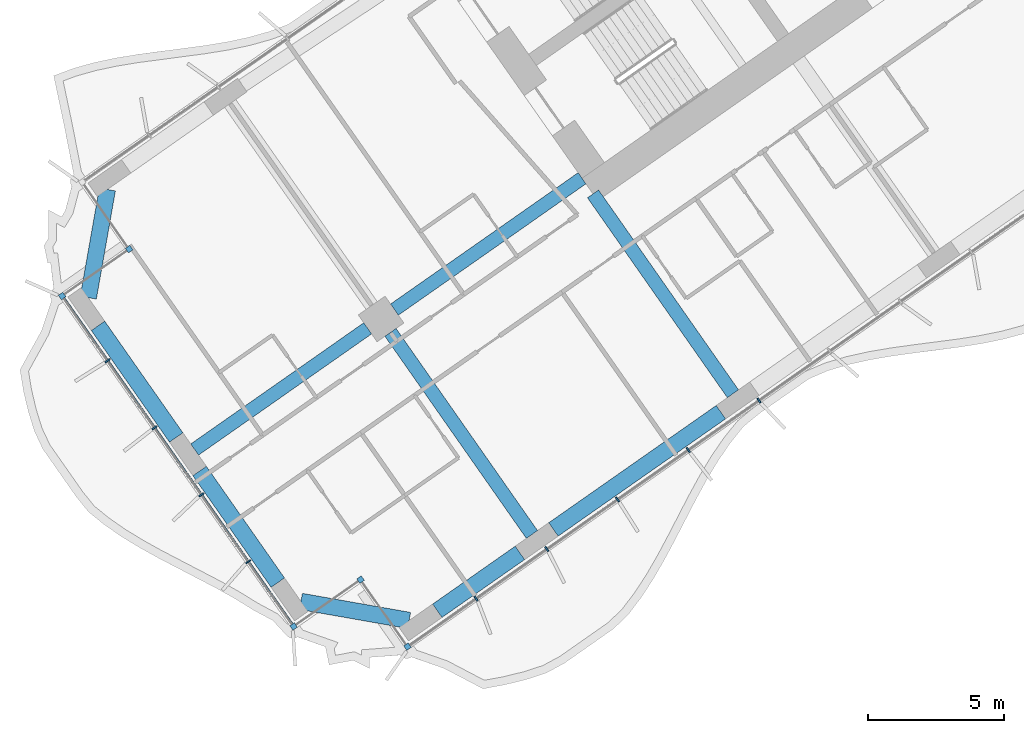
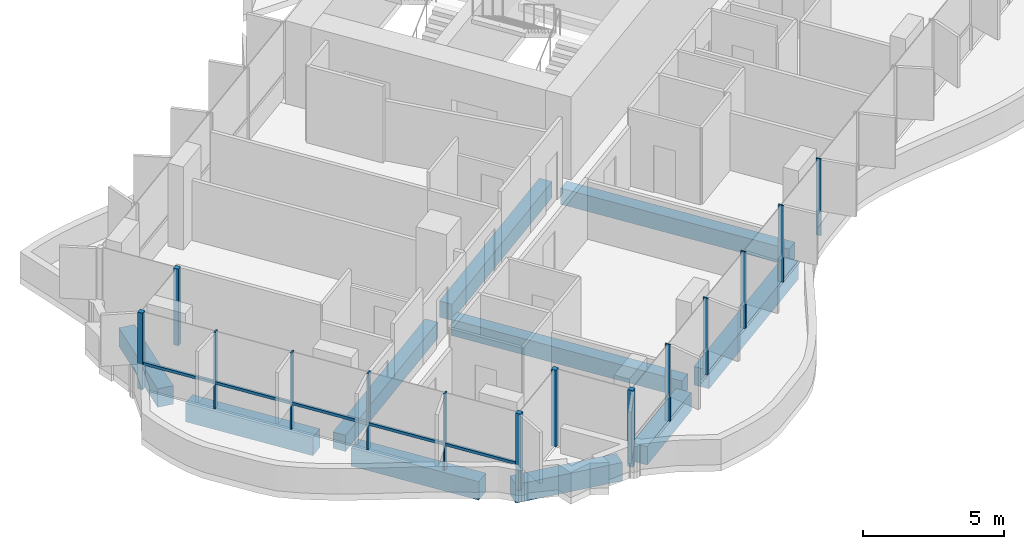
# One storey, part 2 of 23: 15 members, 10 beams, 1 element without a shape of its own.
"""IFC4 building model written with IfcOpenShell, lengths in metres."""

from ifc_helpers import new_model, si_unit, direction, frame, origin, origin_2d, place, context, subcontext, project, spatial, rectangle, extrude, material, material_profile, profile_set, type_object, element, aggregate, save


model = new_model("IFC4")

# Units and contexts
model_context = context("Model", 3, precision=1e-05, world=origin(), true_north=direction((0.0, 1.0)))
body_context = subcontext(model_context, "Body", "Model", "MODEL_VIEW")
ifc_project = project(units=[si_unit("LENGTHUNIT", "METRE"), si_unit("AREAUNIT", "SQUARE_METRE"), si_unit("VOLUMEUNIT", "CUBIC_METRE"), si_unit("PLANEANGLEUNIT", "RADIAN"), si_unit("MASSUNIT", "GRAM", prefix="KILO")], contexts=[model_context])

# Site, building, storey
site_placement = place(None, origin())
site = spatial("IfcSite", under=ifc_project, at=site_placement, CompositionType="ELEMENT")
building_placement = place(site_placement, origin())
building = spatial("IfcBuilding", under=site, at=building_placement, Name="Tel Ilan Convention Tower", CompositionType="ELEMENT")
storey_placement = place(building_placement, frame((0.0, 0.0, 108.5)))
storey = spatial("IfcBuildingStorey", under=building, at=storey_placement, Name="L23", CompositionType="ELEMENT", Elevation=108.5)

# Beams
ifc_material_1 = material(Name="Concrete C40/50", Category="concrete")
ifc_material_profile_1 = material_profile(ifc_material_1, rectangle(XDim=0.5, YDim=0.699951171875, at=origin_2d()), Name="RC 500x700")
ifc_profile_set_1 = profile_set([ifc_material_profile_1], Name="Concrete C40/50")
beam_type_1 = type_object("IfcBeamType", Name="Beam RC 500x700 Concrete C40/50", PredefinedType="BEAM", material=ifc_profile_set_1)
beam_1_placement = place(storey_placement, frame((-16.58203125, -23.391357421875, -0.6298828125), z_axis=(-0.573584999642, 0.819146048141, 0.0), x_axis=(-0.819146048141, -0.573584999642, 0.0)))
element("IfcBeam", 1, at=beam_1_placement, inside=storey, type_object=beam_type_1, Name="L23 beam W-W-F3-core", PredefinedType="BEAM", context=body_context, shape_type="SweptSolid", body=[
    extrude(rectangle(XDim=0.5, YDim=0.699951171875, at=origin_2d()), origin(), (0.0, 0.0, 1.0), 8.949951171875),
])
beam_2_placement = place(storey_placement, frame((-22.1171875, -15.486572265625, -0.6298828125), z_axis=(-0.819147254605, -0.573583276668, 0.0), x_axis=(0.573583276668, -0.819147254605, 0.0)))
element("IfcBeam", 2, at=beam_2_placement, inside=storey, type_object=beam_type_1, Name="L23 beam W-core-W-M4", PredefinedType="BEAM", context=body_context, shape_type="SweptSolid", body=[
    extrude(rectangle(XDim=0.5, YDim=0.699951171875, at=origin_2d()), origin(), (0.0, 0.0, 1.0), 8.400146484375),
])
beam_3_placement = place(storey_placement, frame((-29.98095703125, -20.992919921875, -0.6298828125), z_axis=(-0.819159394801, -0.573565938589, 0.0), x_axis=(0.573565938589, -0.819159394801, 0.0)))
element("IfcBeam", 3, at=beam_3_placement, inside=storey, type_object=beam_type_1, Name="L23 beam W-W-M4-end", PredefinedType="BEAM", context=body_context, shape_type="SweptSolid", body=[
    extrude(rectangle(XDim=0.5, YDim=0.699951171875, at=origin_2d()), origin(), (0.0, 0.0, 1.0), 7.75),
])
beam_4_placement = place(storey_placement, frame((-29.145263671875, -21.14013671875, -0.6298828125), z_axis=(0.573549245583, -0.819171082798, 0.0), x_axis=(0.819171082798, 0.573549245583, 0.0)))
element("IfcBeam", 4, at=beam_4_placement, inside=storey, type_object=beam_type_1, Name="L23 beam W-W-M4-W-F4", PredefinedType="BEAM", context=body_context, shape_type="SweptSolid", body=[
    extrude(rectangle(XDim=0.5, YDim=0.699951171875, at=origin_2d()), origin(), (0.0, 0.0, 1.0), 9.050048828125),
])
ifc_material_2 = material(Name="Concrete C40/50", Category="concrete")
ifc_material_profile_2 = material_profile(ifc_material_2, rectangle(XDim=0.60009765625, YDim=0.800048828125, at=origin_2d()), Name="RC 600x800")
ifc_profile_set_2 = profile_set([ifc_material_profile_2], Name="Concrete C40/50")
beam_type_2 = type_object("IfcBeamType", Name="Beam RC 600x800 Concrete C40/50", PredefinedType="BEAM", material=ifc_profile_set_2)
beam_5_placement = place(storey_placement, frame((-17.0244140625, -24.0673828125, -0.679931640625), z_axis=(-0.81915238829, -0.573575945067, 0.0), x_axis=(0.573575945067, -0.81915238829, 0.0)))
element("IfcBeam", 5, at=beam_5_placement, inside=storey, type_object=beam_type_2, Name="L23 beam W-W-F3-W-F4", PredefinedType="BEAM", context=body_context, shape_type="SweptSolid", body=[
    extrude(rectangle(XDim=0.60009765625, YDim=0.800048828125, at=origin_2d()), origin(), (0.0, 0.0, 1.0), 7.5),
])
beam_6_placement = place(storey_placement, frame((-24.396728515625, -29.2294921875, -0.679931640625), z_axis=(-0.819132709951, -0.573604047656, 0.0), x_axis=(0.573604047656, -0.819132709951, 0.0)))
element("IfcBeam", 6, at=beam_6_placement, inside=storey, type_object=beam_type_2, Name="L23 beam W-W-F4-W-FC", PredefinedType="BEAM", context=body_context, shape_type="SweptSolid", body=[
    extrude(rectangle(XDim=0.60009765625, YDim=0.800048828125, at=origin_2d()), origin(), (0.0, 0.0, 1.0), 3.699951171875),
])
beam_7_placement = place(storey_placement, frame((-28.459716796875, -31.708251953125, -0.679931640625), z_axis=(-0.984806721117, 0.173654029734, 0.0), x_axis=(-0.173654029734, -0.984806721117, 0.0)))
element("IfcBeam", 7, at=beam_7_placement, inside=storey, type_object=beam_type_2, Name="L23 beam W-W-FC-W-E1", PredefinedType="BEAM", context=body_context, shape_type="SweptSolid", body=[
    extrude(rectangle(XDim=0.60009765625, YDim=0.800048828125, at=origin_2d()), origin(), (0.0, 0.0, 1.0), 4.03076171875),
])
for number, where, z_axis, x_axis, name in (
    (8, (-33.277099609375, -30.3203125, -0.679931640625), (-0.573586866468, 0.819144740944, 0.0), (-0.819144740944, -0.573586866468, 0.0), "L23 beam W-W-E1-W-E2"),
    (9, (-37.00537109375, -24.995849609375, -0.679931640625), (-0.573586866468, 0.819144740944, 0.0), (-0.819144740944, -0.573586866468, 0.0), "L23 beam W-W-E2-W-E3"),
):
    element("IfcBeam", number, at=place(storey_placement, frame(where, z_axis=z_axis, x_axis=x_axis)), inside=storey, type_object=beam_type_2, Name=name, PredefinedType="BEAM", context=body_context, shape_type="SweptSolid", body=[
        extrude(rectangle(XDim=0.60009765625, YDim=0.800048828125, at=origin_2d()), origin(), (0.0, 0.0, 1.0), 5.0),
    ])
beam_8_placement = place(storey_placement, frame((-40.229736328125, -19.867919921875, -0.679931640625), z_axis=(0.173664388751, 0.984804894423, 0.0), x_axis=(-0.984804894423, 0.173664388751, 0.0)))
element("IfcBeam", 10, at=beam_8_placement, inside=storey, type_object=beam_type_2, Name="L23 beam W-W-E3-W-BC", PredefinedType="BEAM", context=body_context, shape_type="SweptSolid", body=[
    extrude(rectangle(XDim=0.60009765625, YDim=0.800048828125, at=origin_2d()), origin(), (0.0, 0.0, 1.0), 4.030517578125),
])

# Curtain wall, members
ifc_material_3 = material(Name="Aluminium, bronze anodised", Category="aluminium")
curtain_wall_type = type_object("IfcCurtainWallType", Name="CW1 UNITISED CURTAIN WALL, HOTEL TINTED GLASS", PredefinedType="NOTDEFINED", material=ifc_material_3)
curtain_wall_placement = place(storey_placement, origin())
curtain_wall = element("IfcCurtainWall", 11, at=curtain_wall_placement, inside=storey, type_object=curtain_wall_type, Name="Curtain wall CW1-19.02", PredefinedType="NOTDEFINED")
ifc_material_4 = material(Name="Aluminium, bronze anodised", Category="aluminium")
ifc_material_profile_3 = material_profile(ifc_material_4, rectangle(XDim=0.199951171875, YDim=0.199951171875, at=origin_2d()), Name="CW CORNER MULLION 200x200")
ifc_profile_set_3 = profile_set([ifc_material_profile_3], Name="Aluminium, bronze anodised")
member_type_1 = type_object("IfcMemberType", Name="CW CORNER MULLION 200x200", PredefinedType="MULLION", material=ifc_profile_set_3)
member_1_placement = place(storey_placement, frame((-38.730712890625, -18.0859375, 0.0), z_axis=(0.0, 0.0, 1.0), x_axis=(0.573576436351, -0.819152044289, 0.0)))
member_1 = element("IfcMember", 12, at=member_1_placement, type_object=member_type_1, Name="Corner mullion", PredefinedType="MULLION", context=body_context, shape_type="SweptSolid", body=[
    extrude(rectangle(XDim=0.199951171875, YDim=0.199951171875, at=origin_2d()), origin(), (0.0, 0.0, 1.0), 3.320068359375),
])
member_2_placement = place(storey_placement, frame((-41.188232421875, -19.806640625, 0.0), z_axis=(0.0, 0.0, 1.0), x_axis=(-0.819152044289, -0.573576436351, 0.0)))
member_2 = element("IfcMember", 13, at=member_2_placement, type_object=member_type_1, Name="Corner mullion", PredefinedType="MULLION", context=body_context, shape_type="SweptSolid", body=[
    extrude(rectangle(XDim=0.199951171875, YDim=0.199951171875, at=origin_2d()), origin(), (0.0, 0.0, 1.0), 3.320068359375),
])
member_3_placement = place(storey_placement, frame((-32.69921875, -31.929931640625, 0.0), z_axis=(0.0, 0.0, 1.0), x_axis=(0.573576436351, -0.819152044289, 0.0)))
member_3 = element("IfcMember", 14, at=member_3_placement, type_object=member_type_1, Name="Corner mullion", PredefinedType="MULLION", context=body_context, shape_type="SweptSolid", body=[
    extrude(rectangle(XDim=0.199951171875, YDim=0.199951171875, at=origin_2d()), origin(), (0.0, 0.0, 1.0), 3.320068359375),
])
member_4_placement = place(storey_placement, frame((-30.241943359375, -30.209228515625, 0.0), z_axis=(0.0, 0.0, 1.0), x_axis=(0.819152044289, 0.573576436351, 0.0)))
member_4 = element("IfcMember", 15, at=member_4_placement, type_object=member_type_1, Name="Corner mullion", PredefinedType="MULLION", context=body_context, shape_type="SweptSolid", body=[
    extrude(rectangle(XDim=0.199951171875, YDim=0.199951171875, at=origin_2d()), origin(), (0.0, 0.0, 1.0), 3.320068359375),
])
member_5_placement = place(storey_placement, frame((-28.52099609375, -32.666748046875, 0.0), z_axis=(0.0, 0.0, 1.0), x_axis=(0.573576436351, -0.819152044289, 0.0)))
member_5 = element("IfcMember", 16, at=member_5_placement, type_object=member_type_1, Name="Corner mullion", PredefinedType="MULLION", context=body_context, shape_type="SweptSolid", body=[
    extrude(rectangle(XDim=0.199951171875, YDim=0.199951171875, at=origin_2d()), origin(), (0.0, 0.0, 1.0), 3.320068359375),
])
ifc_material_5 = material(Name="Aluminium, bronze anodised", Category="aluminium")
ifc_material_profile_4 = material_profile(ifc_material_5, rectangle(XDim=0.06005859375, YDim=0.199951171875, at=origin_2d()), Name="CW MULLION 60x200")
ifc_profile_set_4 = profile_set([ifc_material_profile_4], Name="Aluminium, bronze anodised")
member_type_2 = type_object("IfcMemberType", Name="CW MULLION 60x200", PredefinedType="MULLION", material=ifc_profile_set_4)
member_6_placement = place(storey_placement, frame((-39.52490234375, -22.18212890625, 0.0), z_axis=(0.0, 0.0, 1.0), x_axis=(0.573576436351, -0.819152044289, 0.0)))
member_6 = element("IfcMember", 17, at=member_6_placement, type_object=member_type_2, Name="Mullion", PredefinedType="MULLION", context=body_context, shape_type="SweptSolid", body=[
    extrude(rectangle(XDim=0.06005859375, YDim=0.199951171875, at=origin_2d()), origin(), (0.0, 0.0, 1.0), 3.320068359375),
])
member_7_placement = place(storey_placement, frame((-37.80419921875, -24.6396484375, 0.0), z_axis=(0.0, 0.0, 1.0), x_axis=(0.573576436351, -0.819152044289, 0.0)))
member_7 = element("IfcMember", 18, at=member_7_placement, type_object=member_type_2, Name="Mullion", PredefinedType="MULLION", context=body_context, shape_type="SweptSolid", body=[
    extrude(rectangle(XDim=0.06005859375, YDim=0.199951171875, at=origin_2d()), origin(), (0.0, 0.0, 1.0), 3.320068359375),
])
member_8_placement = place(storey_placement, frame((-36.08349609375, -27.096923828125, 0.0), z_axis=(0.0, 0.0, 1.0), x_axis=(0.573576436351, -0.819152044289, 0.0)))
member_8 = element("IfcMember", 19, at=member_8_placement, type_object=member_type_2, Name="Mullion", PredefinedType="MULLION", context=body_context, shape_type="SweptSolid", body=[
    extrude(rectangle(XDim=0.06005859375, YDim=0.199951171875, at=origin_2d()), origin(), (0.0, 0.0, 1.0), 3.320068359375),
])
member_9_placement = place(storey_placement, frame((-34.362548828125, -29.554443359375, 0.0), z_axis=(0.0, 0.0, 1.0), x_axis=(0.573576436351, -0.819152044289, 0.0)))
member_9 = element("IfcMember", 20, at=member_9_placement, type_object=member_type_2, Name="Mullion", PredefinedType="MULLION", context=body_context, shape_type="SweptSolid", body=[
    extrude(rectangle(XDim=0.06005859375, YDim=0.199951171875, at=origin_2d()), origin(), (0.0, 0.0, 1.0), 3.320068359375),
])
member_10_placement = place(storey_placement, frame((-26.008056640625, -30.906982421875, 0.0), z_axis=(0.0, 0.0, 1.0), x_axis=(0.819152044289, 0.573576436351, 0.0)))
member_10 = element("IfcMember", 21, at=member_10_placement, type_object=member_type_2, Name="Mullion", PredefinedType="MULLION", context=body_context, shape_type="SweptSolid", body=[
    extrude(rectangle(XDim=0.06005859375, YDim=0.199951171875, at=origin_2d()), origin(), (0.0, 0.0, 1.0), 3.320068359375),
])
member_11_placement = place(storey_placement, frame((-23.412841796875, -29.08984375, 0.0), z_axis=(0.0, 0.0, 1.0), x_axis=(0.819152044289, 0.573576436351, 0.0)))
member_11 = element("IfcMember", 22, at=member_11_placement, type_object=member_type_2, Name="Mullion", PredefinedType="MULLION", context=body_context, shape_type="SweptSolid", body=[
    extrude(rectangle(XDim=0.06005859375, YDim=0.199951171875, at=origin_2d()), origin(), (0.0, 0.0, 1.0), 3.320068359375),
])
member_12_placement = place(storey_placement, frame((-20.81787109375, -27.27294921875, 0.0), z_axis=(0.0, 0.0, 1.0), x_axis=(0.819152044289, 0.573576436351, 0.0)))
member_12 = element("IfcMember", 23, at=member_12_placement, type_object=member_type_2, Name="Mullion", PredefinedType="MULLION", context=body_context, shape_type="SweptSolid", body=[
    extrude(rectangle(XDim=0.06005859375, YDim=0.199951171875, at=origin_2d()), origin(), (0.0, 0.0, 1.0), 3.320068359375),
])
member_13_placement = place(storey_placement, frame((-18.222900390625, -25.455810546875, 0.0), z_axis=(0.0, 0.0, 1.0), x_axis=(0.819152044289, 0.573576436351, 0.0)))
member_13 = element("IfcMember", 24, at=member_13_placement, type_object=member_type_2, Name="Mullion", PredefinedType="MULLION", context=body_context, shape_type="SweptSolid", body=[
    extrude(rectangle(XDim=0.06005859375, YDim=0.199951171875, at=origin_2d()), origin(), (0.0, 0.0, 1.0), 3.320068359375),
])
member_14_placement = place(storey_placement, frame((-15.627685546875, -23.638671875, 0.0), z_axis=(0.0, 0.0, 1.0), x_axis=(0.819152044289, 0.573576436351, 0.0)))
member_14 = element("IfcMember", 25, at=member_14_placement, type_object=member_type_2, Name="Mullion", PredefinedType="MULLION", context=body_context, shape_type="SweptSolid", body=[
    extrude(rectangle(XDim=0.06005859375, YDim=0.199951171875, at=origin_2d()), origin(), (0.0, 0.0, 1.0), 3.320068359375),
])
ifc_material_6 = material(Name="Aluminium, bronze anodised", Category="aluminium")
ifc_material_profile_5 = material_profile(ifc_material_6, rectangle(XDim=0.10009765625, YDim=0.1201171875, at=origin_2d()), Name="CW TRANSOM 100x120")
ifc_profile_set_5 = profile_set([ifc_material_profile_5], Name="Aluminium, bronze anodised")
member_type_3 = type_object("IfcMemberType", Name="CW TRANSOM 100x120", PredefinedType="USERDEFINED", material=ifc_profile_set_5)
member_15_placement = place(storey_placement, frame((-41.130859375, -19.888427734375, 1.10009765625), z_axis=(0.573575688231, -0.819152568128, 0.0), x_axis=(0.819152568128, 0.573575688231, 0.0)))
member_15 = element("IfcMember", 26, at=member_15_placement, type_object=member_type_3, Name="Transom", ObjectType="TRANSOM", PredefinedType="USERDEFINED", context=body_context, shape_type="SweptSolid", body=[
    extrude(rectangle(XDim=0.10009765625, YDim=0.1201171875, at=origin_2d()), origin(), (0.0, 0.0, 1.0), 14.60009765625),
])
aggregate(curtain_wall, [member_1, member_2, member_6, member_7, member_8, member_9, member_3, member_15, member_4, member_5, member_10, member_11, member_12, member_13, member_14])

save(model, "model.ifc")
